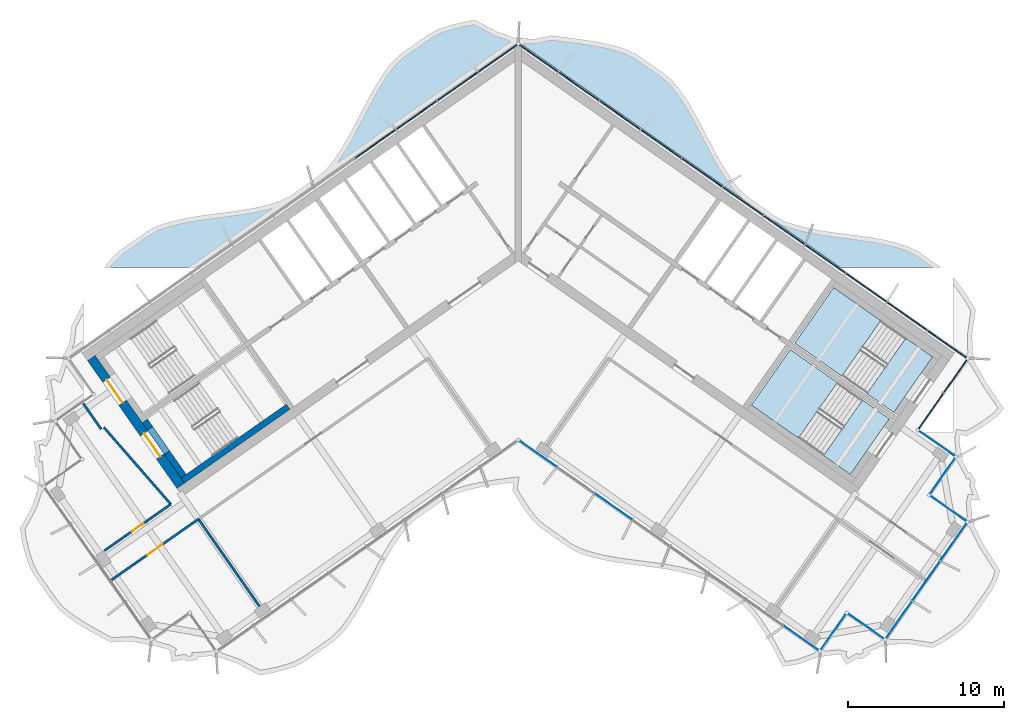
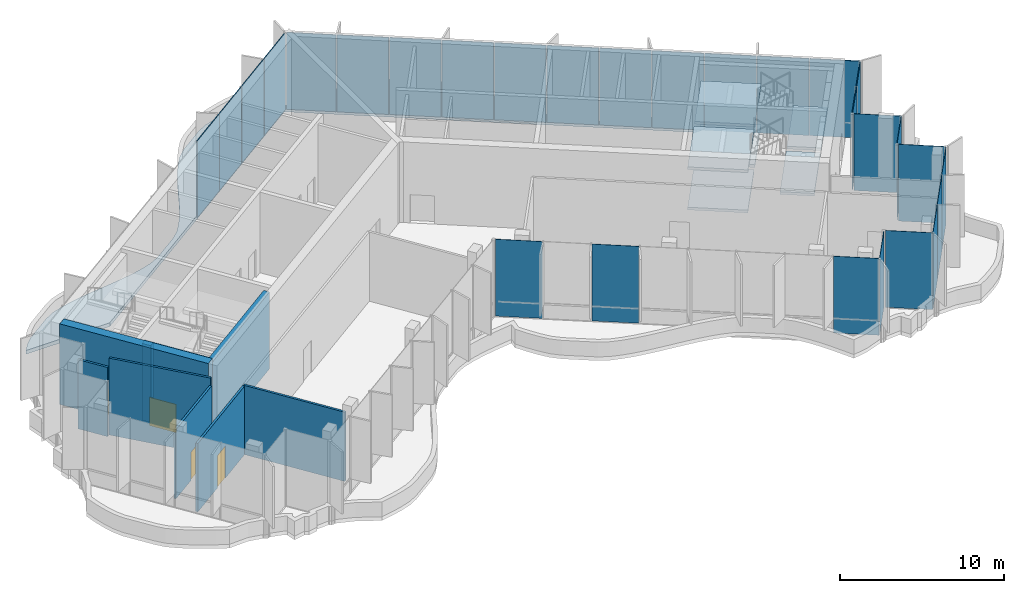
# One storey, part 8 of 18: 28 plates, 10 walls, 7 slabs, 4 doors, 4 openings, 4 elements without a shape of their own.
"""IFC4 building model written with IfcOpenShell, lengths in metres."""

from ifc_helpers import new_model, si_unit, direction, frame, frame_2d, origin, origin_2d, place, context, subcontext, project, spatial, polyline, rectangle, outline, extrude, material, layer, layer_set, type_object, element, fill, aggregate, save


model = new_model("IFC4")

# Units and contexts
model_context = context("Model", 3, precision=1e-05, world=origin(), true_north=direction((0.0, 1.0)))
body_context = subcontext(model_context, "Body", "Model", "MODEL_VIEW")
ifc_project = project(units=[si_unit("LENGTHUNIT", "METRE"), si_unit("AREAUNIT", "SQUARE_METRE"), si_unit("VOLUMEUNIT", "CUBIC_METRE"), si_unit("PLANEANGLEUNIT", "RADIAN"), si_unit("MASSUNIT", "GRAM", prefix="KILO")], contexts=[model_context])

# Site, building, storey
site_placement = place(None, origin())
site = spatial("IfcSite", under=ifc_project, at=site_placement, CompositionType="ELEMENT")
building_placement = place(site_placement, origin())
building = spatial("IfcBuilding", under=site, at=building_placement, Name="Tel Ilan Convention Tower", CompositionType="ELEMENT")
storey_placement = place(building_placement, frame((0.0, 0.0, 307.300048828125)))
storey = spatial("IfcBuildingStorey", under=building, at=storey_placement, Name="L73", CompositionType="ELEMENT", Elevation=307.300048828125)

# Curtain wall, plates
ifc_material_1 = material(Name="Aluminium, bronze anodised", Category="aluminium")
curtain_wall_type_1 = type_object("IfcCurtainWallType", Name="CW2 STICK CURTAIN WALL, SPANDREL PANELS", PredefinedType="NOTDEFINED", material=ifc_material_1)
curtain_wall_1_placement = place(storey_placement, origin())
curtain_wall_1 = element("IfcCurtainWall", 1, at=curtain_wall_1_placement, inside=storey, type_object=curtain_wall_type_1, Name="Curtain wall CW2-55.01", PredefinedType="NOTDEFINED")
ifc_material_2 = material(Name="Aluminium composite panel, bronze anodised", Category="aluminium")
ifc_layer_1 = layer(ifc_material_2, 0.06005859375)
ifc_layer_set_1 = layer_set([ifc_layer_1], Name="CW SPANDREL PANEL 60")
plate_type_1 = type_object("IfcPlateType", Name="CW SPANDREL PANEL 60", PredefinedType="CURTAIN_PANEL", material=ifc_layer_set_1)
plate_1_placement = place(storey_placement, frame((26.45947265625, -10.85400390625, 0.0), z_axis=(0.0, 0.0, 1.0), x_axis=(0.573576436351, 0.819152044289, 0.0)))
plate_1 = element("IfcPlate", 2, at=plate_1_placement, type_object=plate_type_1, Name="Spandrel panel", PredefinedType="CURTAIN_PANEL", context=body_context, shape_type="SweptSolid", body=[
    extrude(rectangle(XDim=2.76904296875, YDim=0.06005859375, at=origin_2d()), origin(), (0.0, 0.0, 1.0), 5.719970703125),
])
plate_2_placement = place(storey_placement, frame((28.042236328125, -8.593505859375, 0.0), z_axis=(0.0, 0.0, 1.0), x_axis=(0.573576436351, 0.819152044289, 0.0)))
plate_2 = element("IfcPlate", 3, at=plate_2_placement, type_object=plate_type_1, Name="Spandrel panel", PredefinedType="CURTAIN_PANEL", context=body_context, shape_type="SweptSolid", body=[
    extrude(rectangle(XDim=2.6298828125, YDim=0.06005859375, at=origin_2d()), origin(), (0.0, 0.0, 1.0), 5.719970703125),
])
plate_3_placement = place(storey_placement, frame((27.5400390625, -6.587646484375, 0.0), z_axis=(0.0, 0.0, 1.0), x_axis=(-0.819152044289, 0.573576436351, 0.0)))
plate_3 = element("IfcPlate", 4, at=plate_3_placement, type_object=plate_type_1, Name="Spandrel panel", PredefinedType="CURTAIN_PANEL", context=body_context, shape_type="SweptSolid", body=[
    extrude(rectangle(XDim=3.0439453125, YDim=0.06005859375, at=origin_2d()), origin(), (0.0, 0.0, 1.0), 5.719970703125),
])
plate_4_placement = place(storey_placement, frame((24.95263671875, -4.77587890625, 0.0), z_axis=(0.0, 0.0, 1.0), x_axis=(-0.819152044289, 0.573576436351, 0.0)))
plate_4 = element("IfcPlate", 5, at=plate_4_placement, type_object=plate_type_1, Name="Spandrel panel", PredefinedType="CURTAIN_PANEL", context=body_context, shape_type="SweptSolid", body=[
    extrude(rectangle(XDim=3.15380859375, YDim=0.06005859375, at=origin_2d()), origin(), (0.0, 0.0, 1.0), 5.719970703125),
])
plate_5_placement = place(storey_placement, frame((22.31982421875, -2.9326171875, 0.0), z_axis=(0.0, 0.0, 1.0), x_axis=(-0.819152044289, 0.573576436351, 0.0)))
plate_5 = element("IfcPlate", 6, at=plate_5_placement, type_object=plate_type_1, Name="Spandrel panel", PredefinedType="CURTAIN_PANEL", context=body_context, shape_type="SweptSolid", body=[
    extrude(rectangle(XDim=3.15380859375, YDim=0.06005859375, at=origin_2d()), origin(), (0.0, 0.0, 1.0), 5.719970703125),
])
plate_6_placement = place(storey_placement, frame((19.687255859375, -1.089111328125, 0.0), z_axis=(0.0, 0.0, 1.0), x_axis=(-0.819152044289, 0.573576436351, 0.0)))
plate_6 = element("IfcPlate", 7, at=plate_6_placement, type_object=plate_type_1, Name="Spandrel panel", PredefinedType="CURTAIN_PANEL", context=body_context, shape_type="SweptSolid", body=[
    extrude(rectangle(XDim=3.15380859375, YDim=0.06005859375, at=origin_2d()), origin(), (0.0, 0.0, 1.0), 5.719970703125),
])
plate_7_placement = place(storey_placement, frame((17.0546875, 0.754150390625, 0.0), z_axis=(0.0, 0.0, 1.0), x_axis=(-0.819152044289, 0.573576436351, 0.0)))
plate_7 = element("IfcPlate", 8, at=plate_7_placement, type_object=plate_type_1, Name="Spandrel panel", PredefinedType="CURTAIN_PANEL", context=body_context, shape_type="SweptSolid", body=[
    extrude(rectangle(XDim=3.15380859375, YDim=0.06005859375, at=origin_2d()), origin(), (0.0, 0.0, 1.0), 5.719970703125),
])
plate_8_placement = place(storey_placement, frame((14.422119140625, 2.59765625, 0.0), z_axis=(0.0, 0.0, 1.0), x_axis=(-0.819152044289, 0.573576436351, 0.0)))
plate_8 = element("IfcPlate", 9, at=plate_8_placement, type_object=plate_type_1, Name="Spandrel panel", PredefinedType="CURTAIN_PANEL", context=body_context, shape_type="SweptSolid", body=[
    extrude(rectangle(XDim=3.15380859375, YDim=0.06005859375, at=origin_2d()), origin(), (0.0, 0.0, 1.0), 5.719970703125),
])
plate_9_placement = place(storey_placement, frame((11.789306640625, 4.44091796875, 0.0), z_axis=(0.0, 0.0, 1.0), x_axis=(-0.819152044289, 0.573576436351, 0.0)))
plate_9 = element("IfcPlate", 10, at=plate_9_placement, type_object=plate_type_1, Name="Spandrel panel", PredefinedType="CURTAIN_PANEL", context=body_context, shape_type="SweptSolid", body=[
    extrude(rectangle(XDim=3.15380859375, YDim=0.06005859375, at=origin_2d()), origin(), (0.0, 0.0, 1.0), 5.719970703125),
])
plate_10_placement = place(storey_placement, frame((9.15673828125, 6.284423828125, 0.0), z_axis=(0.0, 0.0, 1.0), x_axis=(-0.819152044289, 0.573576436351, 0.0)))
plate_10 = element("IfcPlate", 11, at=plate_10_placement, type_object=plate_type_1, Name="Spandrel panel", PredefinedType="CURTAIN_PANEL", context=body_context, shape_type="SweptSolid", body=[
    extrude(rectangle(XDim=3.15380859375, YDim=0.06005859375, at=origin_2d()), origin(), (0.0, 0.0, 1.0), 5.719970703125),
])
plate_11_placement = place(storey_placement, frame((6.524169921875, 8.127685546875, 0.0), z_axis=(0.0, 0.0, 1.0), x_axis=(-0.819152044289, 0.573576436351, 0.0)))
plate_11 = element("IfcPlate", 12, at=plate_11_placement, type_object=plate_type_1, Name="Spandrel panel", PredefinedType="CURTAIN_PANEL", context=body_context, shape_type="SweptSolid", body=[
    extrude(rectangle(XDim=3.15380859375, YDim=0.06005859375, at=origin_2d()), origin(), (0.0, 0.0, 1.0), 5.719970703125),
])
plate_12_placement = place(storey_placement, frame((3.8916015625, 9.97119140625, 0.0), z_axis=(0.0, 0.0, 1.0), x_axis=(-0.819152044289, 0.573576436351, 0.0)))
plate_12 = element("IfcPlate", 13, at=plate_12_placement, type_object=plate_type_1, Name="Spandrel panel", PredefinedType="CURTAIN_PANEL", context=body_context, shape_type="SweptSolid", body=[
    extrude(rectangle(XDim=3.15380859375, YDim=0.06005859375, at=origin_2d()), origin(), (0.0, 0.0, 1.0), 5.719970703125),
])
plate_13_placement = place(storey_placement, frame((1.303955078125, 11.782958984375, 0.0), z_axis=(0.0, 0.0, 1.0), x_axis=(-0.819152044289, 0.573576436351, 0.0)))
plate_13 = element("IfcPlate", 14, at=plate_13_placement, type_object=plate_type_1, Name="Spandrel panel", PredefinedType="CURTAIN_PANEL", context=body_context, shape_type="SweptSolid", body=[
    extrude(rectangle(XDim=3.0439453125, YDim=0.06005859375, at=origin_2d()), origin(), (0.0, 0.0, 1.0), 5.719970703125),
])
plate_14_placement = place(storey_placement, frame((-1.303955078125, 11.782958984375, 0.0), z_axis=(0.0, 0.0, 1.0), x_axis=(-0.819152044289, -0.573576436351, 0.0)))
plate_14 = element("IfcPlate", 15, at=plate_14_placement, type_object=plate_type_1, Name="Spandrel panel", PredefinedType="CURTAIN_PANEL", context=body_context, shape_type="SweptSolid", body=[
    extrude(rectangle(XDim=3.0439453125, YDim=0.06005859375, at=origin_2d()), origin(), (0.0, 0.0, 1.0), 5.719970703125),
])
plate_15_placement = place(storey_placement, frame((-3.8916015625, 9.97119140625, 0.0), z_axis=(0.0, 0.0, 1.0), x_axis=(-0.819152044289, -0.573576436351, 0.0)))
plate_15 = element("IfcPlate", 16, at=plate_15_placement, type_object=plate_type_1, Name="Spandrel panel", PredefinedType="CURTAIN_PANEL", context=body_context, shape_type="SweptSolid", body=[
    extrude(rectangle(XDim=3.15380859375, YDim=0.06005859375, at=origin_2d()), origin(), (0.0, 0.0, 1.0), 5.719970703125),
])
plate_16_placement = place(storey_placement, frame((-6.524169921875, 8.127685546875, 0.0), z_axis=(0.0, 0.0, 1.0), x_axis=(-0.819152044289, -0.573576436351, 0.0)))
plate_16 = element("IfcPlate", 17, at=plate_16_placement, type_object=plate_type_1, Name="Spandrel panel", PredefinedType="CURTAIN_PANEL", context=body_context, shape_type="SweptSolid", body=[
    extrude(rectangle(XDim=3.15380859375, YDim=0.06005859375, at=origin_2d()), origin(), (0.0, 0.0, 1.0), 5.719970703125),
])
plate_17_placement = place(storey_placement, frame((-9.15673828125, 6.284423828125, 0.0), z_axis=(0.0, 0.0, 1.0), x_axis=(-0.819152044289, -0.573576436351, 0.0)))
plate_17 = element("IfcPlate", 18, at=plate_17_placement, type_object=plate_type_1, Name="Spandrel panel", PredefinedType="CURTAIN_PANEL", context=body_context, shape_type="SweptSolid", body=[
    extrude(rectangle(XDim=3.15380859375, YDim=0.06005859375, at=origin_2d()), origin(), (0.0, 0.0, 1.0), 5.719970703125),
])
aggregate(curtain_wall_1, [plate_1, plate_2, plate_3, plate_4, plate_5, plate_6, plate_7, plate_8, plate_9, plate_10, plate_11, plate_12, plate_13, plate_14, plate_15, plate_16, plate_17])

ifc_material_3 = material(Name="Aluminium, bronze anodised", Category="aluminium")
curtain_wall_type_2 = type_object("IfcCurtainWallType", Name="CW5 STICK CURTAIN WALL, UPPER OFFICE LOW-IRON TINTED GLASS", PredefinedType="NOTDEFINED", material=ifc_material_3)
curtain_wall_2_placement = place(storey_placement, origin())
curtain_wall_2 = element("IfcCurtainWall", 19, at=curtain_wall_2_placement, inside=storey, type_object=curtain_wall_type_2, Name="Curtain wall CW5-55.02", PredefinedType="NOTDEFINED")
ifc_material_4 = material(Name="Glass, low-iron bronze tinted, two-ply", Category="glass")
ifc_layer_2 = layer(ifc_material_4, 0.031982421875)
ifc_layer_set_2 = layer_set([ifc_layer_2], Name="CW UPPER GLASS PANEL 32")
plate_type_2 = type_object("IfcPlateType", Name="CW UPPER GLASS PANEL 32", PredefinedType="CURTAIN_PANEL", material=ifc_layer_set_2)
plate_18_placement = place(storey_placement, frame((1.280029296875, -13.59228515625, 0.0), z_axis=(0.0, 0.0, 1.0), x_axis=(0.819152044289, -0.573576436351, 0.0)))
plate_18 = element("IfcPlate", 20, at=plate_18_placement, type_object=plate_type_2, Name="Glass panel", PredefinedType="CURTAIN_PANEL", context=body_context, shape_type="SweptSolid", body=[
    extrude(rectangle(XDim=2.866943359375, YDim=0.028076171875, at=origin_2d()), origin(), (0.0, 0.0, 1.0), 5.719970703125),
])
plate_19_placement = place(storey_placement, frame((6.11083984375, -16.974853515625, 0.0), z_axis=(0.0, 0.0, 1.0), x_axis=(0.819152044289, -0.573576436351, 0.0)))
plate_19 = element("IfcPlate", 21, at=plate_19_placement, type_object=plate_type_2, Name="Glass panel", PredefinedType="CURTAIN_PANEL", context=body_context, shape_type="SweptSolid", body=[
    extrude(rectangle(XDim=2.89599609375, YDim=0.028076171875, at=origin_2d()), origin(), (0.0, 0.0, 1.0), 5.719970703125),
])
plate_20_placement = place(storey_placement, frame((18.17919921875, -25.42529296875, 0.0), z_axis=(0.0, 0.0, 1.0), x_axis=(0.819152044289, -0.573576436351, 0.0)))
plate_20 = element("IfcPlate", 22, at=plate_20_placement, type_object=plate_type_2, Name="Glass panel", PredefinedType="CURTAIN_PANEL", context=body_context, shape_type="SweptSolid", body=[
    extrude(rectangle(XDim=2.802001953125, YDim=0.028076171875, at=origin_2d()), origin(), (0.0, 0.0, 1.0), 5.719970703125),
])
plate_21_placement = place(storey_placement, frame((20.184814453125, -25.04541015625, 0.0), z_axis=(0.0, 0.0, 1.0), x_axis=(0.573576436351, 0.819152044289, 0.0)))
plate_21 = element("IfcPlate", 23, at=plate_21_placement, type_object=plate_type_2, Name="Glass panel", PredefinedType="CURTAIN_PANEL", context=body_context, shape_type="SweptSolid", body=[
    extrude(rectangle(XDim=2.875, YDim=0.028076171875, at=origin_2d()), origin(), (0.0, 0.0, 1.0), 5.719970703125),
])
plate_22_placement = place(storey_placement, frame((22.32763671875, -24.667724609375, 0.0), z_axis=(0.0, 0.0, 1.0), x_axis=(0.819152044289, -0.573576436351, 0.0)))
plate_22 = element("IfcPlate", 24, at=plate_22_placement, type_object=plate_type_2, Name="Glass panel", PredefinedType="CURTAIN_PANEL", context=body_context, shape_type="SweptSolid", body=[
    extrude(rectangle(XDim=2.875, YDim=0.028076171875, at=origin_2d()), origin(), (0.0, 0.0, 1.0), 5.719970703125),
])
plate_23_placement = place(storey_placement, frame((24.39306640625, -24.26611328125, 0.0), z_axis=(0.0, 0.0, 1.0), x_axis=(0.573576436351, 0.819152044289, 0.0)))
plate_23 = element("IfcPlate", 25, at=plate_23_placement, type_object=plate_type_2, Name="Glass panel", PredefinedType="CURTAIN_PANEL", context=body_context, shape_type="SweptSolid", body=[
    extrude(rectangle(XDim=2.979248046875, YDim=0.028076171875, at=origin_2d()), origin(), (0.0, 0.0, 1.0), 5.719970703125),
])
plate_24_placement = place(storey_placement, frame((26.163330078125, -21.73779296875, 0.0), z_axis=(0.0, 0.0, 1.0), x_axis=(0.573576436351, 0.819152044289, 0.0)))
plate_24 = element("IfcPlate", 26, at=plate_24_placement, type_object=plate_type_2, Name="Glass panel", PredefinedType="CURTAIN_PANEL", context=body_context, shape_type="SweptSolid", body=[
    extrude(rectangle(XDim=3.0732421875, YDim=0.028076171875, at=origin_2d()), origin(), (0.0, 0.0, 1.0), 5.719970703125),
])
plate_25_placement = place(storey_placement, frame((27.93359375, -19.209716796875, 0.0), z_axis=(0.0, 0.0, 1.0), x_axis=(0.573576436351, 0.819152044289, 0.0)))
plate_25 = element("IfcPlate", 27, at=plate_25_placement, type_object=plate_type_2, Name="Glass panel", PredefinedType="CURTAIN_PANEL", context=body_context, shape_type="SweptSolid", body=[
    extrude(rectangle(XDim=2.979248046875, YDim=0.028076171875, at=origin_2d()), origin(), (0.0, 0.0, 1.0), 5.719970703125),
])
plate_26_placement = place(storey_placement, frame((27.6044921875, -17.131591796875, 0.0), z_axis=(0.0, 0.0, 1.0), x_axis=(-0.819152044289, 0.573576436351, 0.0)))
plate_26 = element("IfcPlate", 28, at=plate_26_placement, type_object=plate_type_2, Name="Glass panel", PredefinedType="CURTAIN_PANEL", context=body_context, shape_type="SweptSolid", body=[
    extrude(rectangle(XDim=2.875, YDim=0.028076171875, at=origin_2d()), origin(), (0.0, 0.0, 1.0), 5.719970703125),
])
plate_27_placement = place(storey_placement, frame((27.2265625, -14.98876953125, 0.0), z_axis=(0.0, 0.0, 1.0), x_axis=(0.573576436351, 0.819152044289, 0.0)))
plate_27 = element("IfcPlate", 29, at=plate_27_placement, type_object=plate_type_2, Name="Glass panel", PredefinedType="CURTAIN_PANEL", context=body_context, shape_type="SweptSolid", body=[
    extrude(rectangle(XDim=2.875, YDim=0.028076171875, at=origin_2d()), origin(), (0.0, 0.0, 1.0), 5.719970703125),
])
plate_28_placement = place(storey_placement, frame((26.86767578125, -12.953369140625, 0.0), z_axis=(0.0, 0.0, 1.0), x_axis=(-0.819152044289, 0.573576436351, 0.0)))
plate_28 = element("IfcPlate", 30, at=plate_28_placement, type_object=plate_type_2, Name="Glass panel", PredefinedType="CURTAIN_PANEL", context=body_context, shape_type="SweptSolid", body=[
    extrude(rectangle(XDim=2.875, YDim=0.028076171875, at=origin_2d()), origin(), (0.0, 0.0, 1.0), 5.719970703125),
])
aggregate(curtain_wall_2, [plate_18, plate_19, plate_20, plate_21, plate_22, plate_23, plate_24, plate_25, plate_26, plate_27, plate_28])

# Stair, slabs
ifc_material_5 = material(Name="Concrete C40/50", Category="concrete")
stair_type = type_object("IfcStairType", Name="Pressurised Exit Stair 32 risers 188 mm", PredefinedType="HALF_TURN_STAIR", material=ifc_material_5)
stair_1_placement = place(storey_placement, origin())
stair_1 = element("IfcStair", 31, at=stair_1_placement, inside=storey, type_object=stair_type, Name="L73 Pressurised Stair S3", PredefinedType="HALF_TURN_STAIR")
ifc_material_6 = material(Name="Concrete C40/50", Category="concrete")
ifc_layer_3 = layer(ifc_material_6, 0.199951171875)
ifc_layer_set_3 = layer_set([ifc_layer_3], Name="Concrete Stair Landing 200 mm C40/50")
slab_type_1 = type_object("IfcSlabType", Name="Concrete Stair Landing 200 mm", PredefinedType="LANDING", material=ifc_layer_set_3)
slab_1_placement = place(storey_placement, frame((0.0, 0.0, 1.300048828125)))
slab_1 = element("IfcSlab", 32, at=slab_1_placement, type_object=slab_type_1, Name="S3 landing 1", PredefinedType="LANDING", context=body_context, shape_type="SweptSolid", body=[
    extrude(outline(polyline([(23.249755859375, -5.048583984375), (20.226318359375, -2.931640625), (17.7314453125, -6.494873046875), (20.754638671875, -8.61181640625), (23.249755859375, -5.048583984375)])), origin(), (0.0, 0.0, 1.0), 0.199951171875),
])
slab_2_placement = place(storey_placement, frame((0.0, 0.0, 2.800048828125)))
slab_2 = element("IfcSlab", 33, at=slab_2_placement, type_object=slab_type_1, Name="S3 landing 2", PredefinedType="LANDING", context=body_context, shape_type="SweptSolid", body=[
    extrude(outline(polyline([(26.574951171875, -7.376708984375), (24.85400390625, -6.171875), (22.35888671875, -9.735107421875), (24.079833984375, -10.940185546875), (26.574951171875, -7.376708984375)])), origin(), (0.0, 0.0, 1.0), 0.199951171875),
])
slab_3_placement = place(storey_placement, frame((0.0, 0.0, 4.300048828125)))
slab_3 = element("IfcSlab", 34, at=slab_3_placement, type_object=slab_type_1, Name="S3 landing 3", PredefinedType="LANDING", context=body_context, shape_type="SweptSolid", body=[
    extrude(outline(polyline([(23.249755859375, -5.048583984375), (20.226318359375, -2.931640625), (17.7314453125, -6.494873046875), (20.754638671875, -8.61181640625), (23.249755859375, -5.048583984375)])), origin(), (0.0, 0.0, 1.0), 0.199951171875),
])
aggregate(stair_1, [slab_1, slab_2, slab_3])

stair_2_placement = place(storey_placement, origin())
stair_2 = element("IfcStair", 35, at=stair_2_placement, inside=storey, type_object=stair_type, Name="L73 Pressurised Stair S4", PredefinedType="HALF_TURN_STAIR")
slab_4_placement = place(storey_placement, frame((0.0, 0.0, 1.300048828125)))
slab_4 = element("IfcSlab", 36, at=slab_4_placement, type_object=slab_type_1, Name="S4 landing 1", PredefinedType="LANDING", context=body_context, shape_type="SweptSolid", body=[
    extrude(outline(polyline([(20.468017578125, -9.021484375), (17.444580078125, -6.904541015625), (14.949462890625, -10.4677734375), (17.972900390625, -12.584716796875), (20.468017578125, -9.021484375)])), origin(), (0.0, 0.0, 1.0), 0.199951171875),
])
slab_5_placement = place(storey_placement, frame((0.0, 0.0, 2.800048828125)))
slab_5 = element("IfcSlab", 37, at=slab_5_placement, type_object=slab_type_1, Name="S4 landing 2", PredefinedType="LANDING", context=body_context, shape_type="SweptSolid", body=[
    extrude(outline(polyline([(23.79296875, -11.349609375), (22.072021484375, -10.144775390625), (19.5771484375, -13.7080078125), (21.2978515625, -14.9130859375), (23.79296875, -11.349609375)])), origin(), (0.0, 0.0, 1.0), 0.199951171875),
])
slab_6_placement = place(storey_placement, frame((0.0, 0.0, 4.300048828125)))
slab_6 = element("IfcSlab", 38, at=slab_6_placement, type_object=slab_type_1, Name="S4 landing 3", PredefinedType="LANDING", context=body_context, shape_type="SweptSolid", body=[
    extrude(outline(polyline([(20.468017578125, -9.021484375), (17.444580078125, -6.904541015625), (14.949462890625, -10.4677734375), (17.972900390625, -12.584716796875), (20.468017578125, -9.021484375)])), origin(), (0.0, 0.0, 1.0), 0.199951171875),
])
aggregate(stair_2, [slab_4, slab_5, slab_6])

# Slab
ifc_material_7 = material(Name="Concrete C40/50", Category="concrete")
ifc_layer_4 = layer(ifc_material_7, 0.280029296875)
ifc_layer_set_4 = layer_set([ifc_layer_4], Name="Edge Ledge Slab 280 mm C40/50")
slab_type_2 = type_object("IfcSlabType", Name="Edge Ledge Slab 280 mm C40/50", PredefinedType="FLOOR", material=ifc_layer_set_4)
slab_7_placement = place(storey_placement, frame((0.0, 0.0, -0.280029296875)))
element("IfcSlab", 39, at=slab_7_placement, inside=storey, type_object=slab_type_2, Name="L73 edge ledge 2", PredefinedType="FLOOR", context=body_context, shape_type="SweptSolid", body=[
    extrude(outline(polyline([(-23.1982421875, 1.006591796875), (-22.4697265625, 1.250244140625), (-21.705322265625, 1.44287109375), (-20.91259765625, 1.594482421875), (-20.099365234375, 1.71728515625), (-19.275146484375, 1.824462890625), (-18.44970703125, 1.9296875), (-17.6328125, 2.047119140625), (-16.833984375, 2.18994140625), (-16.0615234375, 2.37109375), (-15.3232421875, 2.6005859375), (-14.651611328125, 2.92529296875), (-12.841552734375, 4.192626953125), (-12.284912109375, 4.681640625), (-11.809326171875, 5.28662109375), (-11.369140625, 5.94189453125), (-10.956787109375, 6.63720703125), (-10.564453125, 7.36083984375), (-10.182373046875, 8.09912109375), (-9.80078125, 8.83837890625), (-9.410400390625, 9.564697265625), (-9.001220703125, 10.264404296875), (-8.56494140625, 10.925537109375), (-8.094482421875, 11.53759765625), (-7.552001953125, 12.047119140625), (-5.7421875, 13.314208984375), (-5.0849609375, 13.66015625), (-4.3515625, 13.896484375), (-3.5830078125, 14.083251953125), (-2.785888671875, 14.228515625), (-1.357666015625, 13.472900390625), (-0.172119140625, 13.06396484375), (-0.168701171875, 13.05908203125), (-0.11474609375, 13.09521484375), (0.0, 13.1181640625), (0.11474609375, 13.09521484375), (0.168701171875, 13.05908203125), (0.172119140625, 13.06396484375), (1.02001953125, 12.99072265625), (2.08935546875, 13.234130859375), (2.913818359375, 13.12744140625), (3.739501953125, 13.0224609375), (4.55712890625, 12.90625), (5.357666015625, 12.765380859375), (6.132080078125, 12.587158203125), (6.872802734375, 12.361083984375), (7.552001953125, 12.047119140625), (9.36181640625, 10.77978515625), (9.925537109375, 10.300537109375), (10.403564453125, 9.69921875), (10.845947265625, 9.046875), (11.259521484375, 8.353515625), (11.653076171875, 7.631591796875), (12.035400390625, 6.893798828125), (12.416748046875, 6.154052734375), (12.806396484375, 5.426513671875), (13.214111328125, 4.724609375), (13.648193359375, 4.060791015625), (14.116455078125, 3.4453125), (14.651611328125, 2.92529296875), (16.46142578125, 1.657958984375), (17.111328125, 1.30224609375), (17.84228515625, 1.062255859375), (18.60888671875, 0.87255859375), (19.4033203125, 0.72314453125), (20.21728515625, 0.601806640625), (21.0419921875, 0.495361328125), (21.8671875, 0.3896484375), (22.68310546875, 0.27099609375), (23.480712890625, 0.1259765625), (24.2509765625, -0.057861328125), (24.987060546875, -0.290771484375), (25.6513671875, -0.626220703125), (27.087158203125, -1.631591796875), (20.63623046875, -1.631591796875), (0.0, 12.818115234375), (-20.63623046875, -1.631591796875), (-26.535888671875, -1.631591796875), (-26.1787109375, -1.156982421875), (-25.6513671875, -0.626220703125), (-23.84130859375, 0.64111328125), (-23.1982421875, 1.006591796875)])), origin(), (0.0, 0.0, 1.0), 0.280029296875),
])

# Wall, openings, doors
ifc_material_8 = material(Name="Concrete C40/50", Category="concrete")
ifc_layer_5 = layer(ifc_material_8, 0.60009765625)
ifc_layer_set_5 = layer_set([ifc_layer_5], Name="Core Shear Wall 600 mm C40/50")
wall_type_1 = type_object("IfcWallType", Name="Core Shear Wall 600 mm C40/50", PredefinedType="SHEAR", material=ifc_layer_set_5)
wall_1_placement = place(storey_placement, frame((-21.641845703125, -15.64208984375, 0.0), z_axis=(0.0, 0.0, 1.0), x_axis=(-0.573586866468, 0.819144740944, 0.0)))
wall_1 = element("IfcWall", 40, at=wall_1_placement, inside=storey, type_object=wall_type_1, Name="L73 core wall W-end", PredefinedType="SHEAR", context=body_context, shape_type="SweptSolid", body=[
    extrude(outline(polyline([(0.0, 0.300048828125), (0.0, -0.2998046875), (10.0, -0.300048828125), (10.0, 0.300048828125), (0.0, 0.300048828125)])), origin(), (0.0, 0.0, 1.0), 6.0),
])
opening_1_placement = place(wall_1_placement, frame((6.5, 0.0, 0.0)))
opening_1 = element("IfcOpeningElement", 41, at=opening_1_placement, cuts=wall_1, Name="Opening SD5501", PredefinedType="OPENING", context=body_context, shape_type="SweptSolid", body=[
    extrude(rectangle(XDim=1.800048828125, YDim=2.10009765625, at=frame_2d((0.89990234375, 1.050048828125))), frame((0.0, 0.31005859375, 0.0), z_axis=(0.0, -1.0, 0.0), x_axis=(1.0, 0.0, 0.0)), (0.0, 0.0, 1.0), 0.6201171875),
])
opening_2_placement = place(wall_1_placement, frame((2.300048828125, 0.0, 0.0)))
opening_2 = element("IfcOpeningElement", 42, at=opening_2_placement, cuts=wall_1, Name="Opening SD5502", PredefinedType="OPENING", context=body_context, shape_type="SweptSolid", body=[
    extrude(rectangle(XDim=1.800048828125, YDim=2.10009765625, at=frame_2d((0.89990234375, 1.050048828125))), frame((0.0, 0.31005859375, 0.0), z_axis=(0.0, -1.0, 0.0), x_axis=(1.0, 0.0, 0.0)), (0.0, 0.0, 1.0), 0.6201171875),
])
ifc_material_9 = material(Name="Galvanised Steel Door Leaf", Category="steel")
door_type_1 = type_object("IfcDoorType", Name="Stair Fire Door 1800 x 2100 FD60S", OperationType="NOTDEFINED", PredefinedType="DOOR", material=ifc_material_9)
door_1_placement = place(opening_1_placement, origin())
door_1 = element("IfcDoor", 43, at=door_1_placement, inside=storey, type_object=door_type_1, Name="Stair S1 door", OperationType="DOUBLE_DOOR_SINGLE_SWING", OverallHeight=2.10009765625, OverallWidth=1.800048828125, PredefinedType="DOOR", context=body_context, shape_type="SweptSolid", body=[
    extrude(rectangle(XDim=1.800048828125, YDim=2.10009765625, at=frame_2d((0.89990234375, 1.050048828125))), frame((0.0, 0.02490234375, 0.0), z_axis=(0.0, -1.0, 0.0), x_axis=(1.0, 0.0, 0.0)), (0.0, 0.0, 1.0), 0.050048828125),
])
fill(opening_1, door_1)
door_2_placement = place(opening_2_placement, origin())
door_2 = element("IfcDoor", 44, at=door_2_placement, inside=storey, type_object=door_type_1, Name="Stair S2 door", OperationType="DOUBLE_DOOR_SINGLE_SWING", OverallHeight=2.10009765625, OverallWidth=1.800048828125, PredefinedType="DOOR", context=body_context, shape_type="SweptSolid", body=[
    extrude(rectangle(XDim=1.800048828125, YDim=2.10009765625, at=frame_2d((0.89990234375, 1.050048828125))), frame((0.0, 0.02490234375, 0.0), z_axis=(0.0, -1.0, 0.0), x_axis=(1.0, 0.0, 0.0)), (0.0, 0.0, 1.0), 0.050048828125),
])
fill(opening_2, door_2)

# Wall, opening, door
ifc_material_10 = material(Name="Plasterboard on Steel Studs", Category="steel")
ifc_layer_6 = layer(ifc_material_10, 0.14990234375)
ifc_layer_set_6 = layer_set([ifc_layer_6], Name="Fire-rated Partition 150 EI 60")
wall_type_2 = type_object("IfcWallType", Name="Fire-rated Partition 150 EI 60", PredefinedType="PARTITIONING", material=ifc_layer_set_6)
wall_2_placement = place(storey_placement, frame((-26.540283203125, -19.804443359375, 0.0), z_axis=(0.0, 0.0, 1.0), x_axis=(0.819163496387, 0.573560080713, 0.0)))
wall_2 = element("IfcWall", 45, at=wall_2_placement, inside=storey, type_object=wall_type_2, Name="Partition 004", PredefinedType="PARTITIONING", context=body_context, shape_type="SweptSolid", body=[
    extrude(rectangle(XDim=5.19677734375, YDim=0.14990234375, at=frame_2d((2.598388671875, 0.0))), origin(), (0.0, 0.0, 1.0), 5.14990234375),
])
opening_3_placement = place(wall_2_placement, frame((2.1484375, 0.0, 0.0)))
opening_3 = element("IfcOpeningElement", 46, at=opening_3_placement, cuts=wall_2, Name="Opening L73-003", PredefinedType="OPENING", context=body_context, shape_type="SweptSolid", body=[
    extrude(rectangle(XDim=0.89990234375, YDim=2.10009765625, at=frame_2d((0.449951171875, 1.050048828125))), frame((0.0, 0.0849609375, 0.0), z_axis=(0.0, -1.0, 0.0), x_axis=(1.0, 0.0, 0.0)), (0.0, 0.0, 1.0), 0.169921875),
])
ifc_material_11 = material(Name="Timber Door Leaf in Steel Frame", Category="steel")
door_type_2 = type_object("IfcDoorType", Name="Riser and Service Fire Door 900x2100", OperationType="NOTDEFINED", PredefinedType="DOOR", material=ifc_material_11)
door_3_placement = place(opening_3_placement, origin())
door_3 = element("IfcDoor", 47, at=door_3_placement, inside=storey, type_object=door_type_2, Name="Door L73-003", OperationType="SINGLE_SWING_LEFT", OverallHeight=2.10009765625, OverallWidth=0.89990234375, PredefinedType="DOOR", context=body_context, shape_type="SweptSolid", body=[
    extrude(rectangle(XDim=0.89990234375, YDim=2.10009765625, at=frame_2d((0.449951171875, 1.050048828125))), frame((0.0, 0.02490234375, 0.0), z_axis=(0.0, -1.0, 0.0), x_axis=(1.0, 0.0, 0.0)), (0.0, 0.0, 1.0), 0.050048828125),
])
fill(opening_3, door_3)

wall_3_placement = place(storey_placement, frame((-20.509521484375, -17.779052734375, 0.0), z_axis=(0.0, 0.0, 1.0), x_axis=(-0.819154345195, -0.573573150303, 0.0)))
wall_3 = element("IfcWall", 48, at=wall_3_placement, inside=storey, type_object=wall_type_2, Name="Partition 006", PredefinedType="PARTITIONING", context=body_context, shape_type="SweptSolid", body=[
    extrude(rectangle(XDim=6.8017578125, YDim=0.14990234375, at=frame_2d((3.40087890625, 0.0))), origin(), (0.0, 0.0, 1.0), 5.099853515625),
])
opening_4_placement = place(wall_3_placement, frame((2.801025390625, 0.0, 0.0)))
opening_4 = element("IfcOpeningElement", 49, at=opening_4_placement, cuts=wall_3, Name="Opening L73-002", PredefinedType="OPENING", context=body_context, shape_type="SweptSolid", body=[
    extrude(rectangle(XDim=1.199951171875, YDim=2.39990234375, at=frame_2d((0.60009765625, 1.199951171875))), frame((0.0, 0.0849609375, 0.0), z_axis=(0.0, -1.0, 0.0), x_axis=(1.0, 0.0, 0.0)), (0.0, 0.0, 1.0), 0.169921875),
])
ifc_material_12 = material(Name="Glazed Aluminium Door", Category="aluminium")
door_type_3 = type_object("IfcDoorType", Name="Glazed Lobby Door 1200x2400", OperationType="NOTDEFINED", PredefinedType="DOOR", material=ifc_material_12)
door_4_placement = place(opening_4_placement, origin())
door_4 = element("IfcDoor", 50, at=door_4_placement, inside=storey, type_object=door_type_3, Name="Door L73-002", OperationType="DOUBLE_DOOR_SINGLE_SWING", OverallHeight=2.39990234375, OverallWidth=1.199951171875, PredefinedType="DOOR", context=body_context, shape_type="SweptSolid", body=[
    extrude(rectangle(XDim=1.199951171875, YDim=2.39990234375, at=frame_2d((0.60009765625, 1.199951171875))), frame((0.0, 0.02490234375, 0.0), z_axis=(0.0, -1.0, 0.0), x_axis=(1.0, 0.0, 0.0)), (0.0, 0.0, 1.0), 0.050048828125),
])
fill(opening_4, door_4)

# Walls
wall_4_placement = place(storey_placement, frame((-26.74609375, -12.013671875, 0.0), z_axis=(0.0, 0.0, 1.0), x_axis=(-0.573568836472, 0.819157365729, 0.0)))
element("IfcWall", 51, at=wall_4_placement, inside=storey, type_object=wall_type_2, Name="Partition 010", PredefinedType="PARTITIONING", context=body_context, shape_type="SweptSolid", body=[
    extrude(rectangle(XDim=2.000244140625, YDim=0.14990234375, at=frame_2d((1.0, 0.0))), origin(), (0.0, 0.0, 1.0), 5.14990234375),
])
wall_5_placement = place(storey_placement, frame((-22.28369140625, -16.826416015625, 0.0), z_axis=(0.0, 0.0, 1.0), x_axis=(-0.656758142177, 0.754101281449, 0.0)))
element("IfcWall", 52, at=wall_5_placement, inside=storey, type_object=wall_type_2, Name="Partition 011", PredefinedType="PARTITIONING", context=body_context, shape_type="SweptSolid", body=[
    extrude(rectangle(XDim=6.53857421875, YDim=0.14990234375, at=frame_2d((3.269287109375, 0.0))), origin(), (0.0, 0.0, 1.0), 5.719970703125),
])
wall_6_placement = place(storey_placement, frame((-16.593505859375, -23.375, 0.0), z_axis=(0.0, 0.0, 1.0), x_axis=(-0.573577493031, 0.819151304393, 0.0)))
element("IfcWall", 53, at=wall_6_placement, inside=storey, type_object=wall_type_2, Name="Partition 012", PredefinedType="PARTITIONING", context=body_context, shape_type="SweptSolid", body=[
    extrude(rectangle(XDim=6.829833984375, YDim=0.14990234375, at=frame_2d((3.4150390625, 0.0))), origin(), (0.0, 0.0, 1.0), 5.14990234375),
])
ifc_material_13 = material(Name="Concrete C30/37", Category="concrete")
ifc_layer_7 = layer(ifc_material_13, 0.39990234375)
ifc_layer_set_7 = layer_set([ifc_layer_7], Name="Stair and Shaft Lining Wall 400 mm C30/37")
wall_type_3 = type_object("IfcWallType", Name="Stair and Shaft Lining Wall 400 mm C30/37", PredefinedType="SOLIDWALL", material=ifc_layer_set_7)
wall_7_placement = place(storey_placement, frame((-14.7529296875, -10.57421875, 0.0), z_axis=(0.0, 0.0, 1.0), x_axis=(-0.819158229677, -0.573567602601, 0.0)))
element("IfcWall", 54, at=wall_7_placement, inside=storey, type_object=wall_type_3, Name="L73 core wall lining-S2-t0", PredefinedType="SOLIDWALL", context=body_context, shape_type="SweptSolid", body=[
    extrude(rectangle(XDim=8.25, YDim=0.39990234375, at=frame_2d((4.125, 0.0))), origin(), (0.0, 0.0, 1.0), 5.719970703125),
])
wall_8_placement = place(storey_placement, frame((-21.4619140625, -15.027587890625, 0.0), z_axis=(0.0, 0.0, 1.0), x_axis=(-0.573559770908, 0.819163713305, 0.0)))
element("IfcWall", 55, at=wall_8_placement, inside=storey, type_object=wall_type_3, Name="L73 core wall lining-S2-u1-0", PredefinedType="SOLIDWALL", context=body_context, shape_type="SweptSolid", body=[
    extrude(rectangle(XDim=1.849853515625, YDim=0.39990234375, at=frame_2d((0.9248046875, 0.0))), origin(), (0.0, 0.0, 1.0), 5.719970703125),
])
wall_9_placement = place(storey_placement, frame((-23.61279296875, -11.955810546875, 0.0), z_axis=(0.0, 0.0, 1.0), x_axis=(-0.573435029941, 0.819251039936, 0.0)))
element("IfcWall", 56, at=wall_9_placement, inside=storey, type_object=wall_type_3, Name="L73 core wall lining-S2-u1-1", PredefinedType="SOLIDWALL", context=body_context, shape_type="SweptSolid", body=[
    extrude(rectangle(XDim=0.599853515625, YDim=0.39990234375, at=frame_2d((0.2998046875, 0.0))), origin(), (0.0, 0.0, 1.0), 5.719970703125),
])
wall_10_placement = place(storey_placement, frame((-22.52294921875, -13.51220703125, 2.14990234375), z_axis=(0.0, 0.0, 1.0), x_axis=(-0.573591692345, 0.819141361715, 0.0)))
element("IfcWall", 57, at=wall_10_placement, inside=storey, type_object=wall_type_3, Name="L73 core wall lining-S2-u1-lintel", PredefinedType="SOLIDWALL", context=body_context, shape_type="SweptSolid", body=[
    extrude(rectangle(XDim=1.900146484375, YDim=0.39990234375, at=frame_2d((0.9501953125, 0.0))), origin(), (0.0, 0.0, 1.0), 3.570068359375),
])

save(model, "model.ifc")
